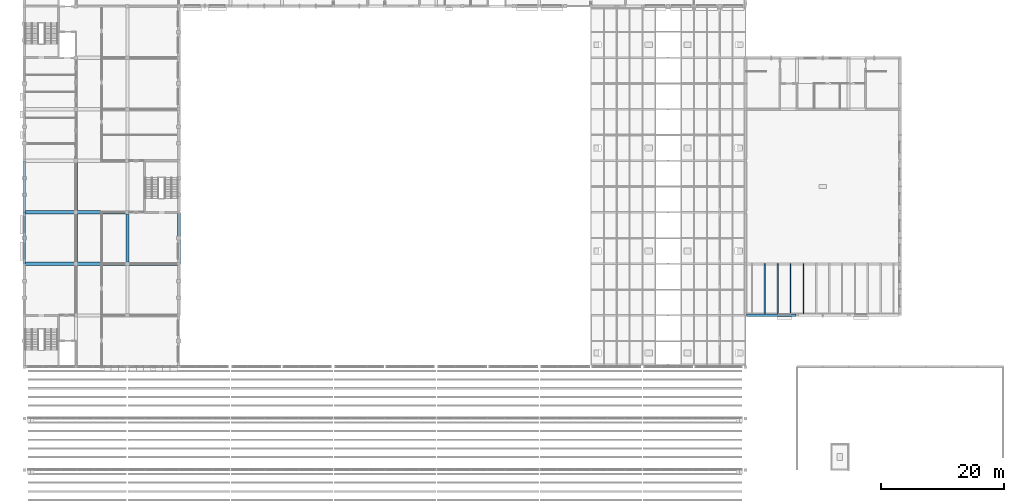
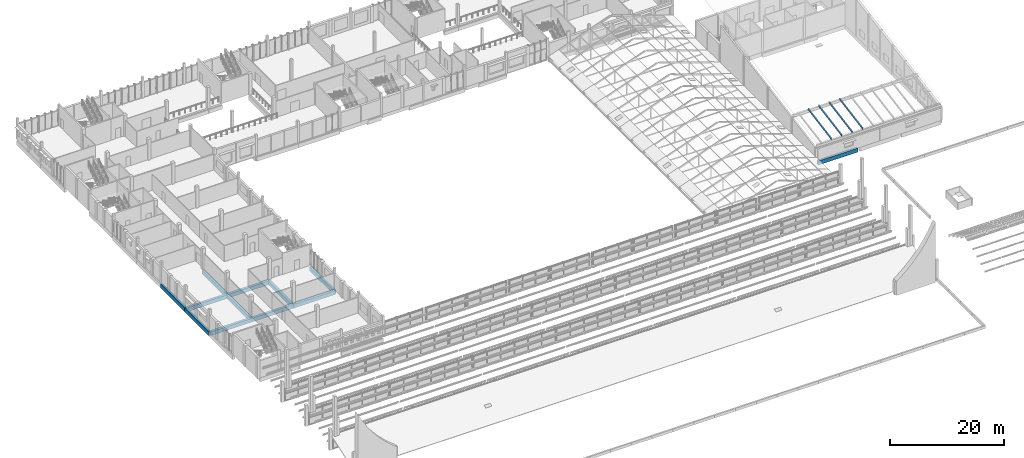
# One storey, part 36 of 116: 12 beams, 4 members.
"""IFC4 building model written with IfcOpenShell, lengths in metres."""

from ifc_helpers import new_model, si_unit, direction, frame, origin, origin_2d, place, context, subcontext, project, spatial, rectangle, i_section, extrude, material, material_profile, profile_set, type_object, element, save


model = new_model("IFC4")

# Units and contexts
model_context = context("Model", 3, precision=1e-05, world=origin(), true_north=direction((0.0, 1.0)))
body_context = subcontext(model_context, "Body", "Model", "MODEL_VIEW")
ifc_project = project(units=[si_unit("LENGTHUNIT", "METRE"), si_unit("AREAUNIT", "SQUARE_METRE"), si_unit("VOLUMEUNIT", "CUBIC_METRE"), si_unit("PLANEANGLEUNIT", "RADIAN"), si_unit("MASSUNIT", "GRAM", prefix="KILO")], contexts=[model_context])

# Site, building, storey
site_placement = place(None, origin())
site = spatial("IfcSite", under=ifc_project, at=site_placement, CompositionType="ELEMENT")
building_placement = place(site_placement, origin())
building = spatial("IfcBuilding", under=site, at=building_placement, Name="Fescue Hill Polytechnic", CompositionType="ELEMENT")
storey_placement = place(building_placement, frame((0.0, 0.0, 13.5)))
storey = spatial("IfcBuildingStorey", under=building, at=storey_placement, Name="L03", CompositionType="ELEMENT", Elevation=13.5)

# Beams
ifc_material_1 = material(Name="Concrete 35 MPa", Category="concrete")
ifc_material_profile_1 = material_profile(ifc_material_1, rectangle(XDim=0.449951171875, YDim=0.85009765625, at=origin_2d()), Name="RC 450x850")
ifc_profile_set_1 = profile_set([ifc_material_profile_1], Name="Concrete 35 MPa")
beam_type_1 = type_object("IfcBeamType", Name="Beam RC 450x850", PredefinedType="BEAM", material=ifc_profile_set_1)
beam_1_placement = place(storey_placement, frame((0.0, 67.199951171875, -0.72509765625), z_axis=(0.0, 1.0, 0.0), x_axis=(-1.0, 0.0, 0.0)))
element("IfcBeam", 1, at=beam_1_placement, inside=storey, type_object=beam_type_1, Name="BM-L03-0002", PredefinedType="BEAM", context=body_context, shape_type="SweptSolid", body=[
    extrude(rectangle(XDim=0.449951171875, YDim=0.85009765625, at=origin_2d()), origin(), (0.0, 0.0, 1.0), 8.400146484375),
])
beam_2_placement = place(storey_placement, frame((0.0, 75.60009765625, -0.72509765625), z_axis=(0.0, 1.0, 0.0), x_axis=(-1.0, 0.0, 0.0)))
element("IfcBeam", 2, at=beam_2_placement, inside=storey, type_object=beam_type_1, Name="BM-L03-0003", PredefinedType="BEAM", context=body_context, shape_type="SweptSolid", body=[
    extrude(rectangle(XDim=0.449951171875, YDim=0.85009765625, at=origin_2d()), origin(), (0.0, 0.0, 1.0), 8.39990234375),
])
beam_3_placement = place(storey_placement, frame((25.199951171875, 67.199951171875, -0.72509765625), z_axis=(0.0, 1.0, 0.0), x_axis=(-1.0, 0.0, 0.0)))
element("IfcBeam", 3, at=beam_3_placement, inside=storey, type_object=beam_type_1, Name="BM-L03-0052", PredefinedType="BEAM", context=body_context, shape_type="SweptSolid", body=[
    extrude(rectangle(XDim=0.449951171875, YDim=0.85009765625, at=origin_2d()), origin(), (0.0, 0.0, 1.0), 8.400146484375),
])
beam_4_placement = place(storey_placement, frame((117.800048828125, 58.800048828125, -0.425048828125), z_axis=(1.0, 0.0, 0.0), x_axis=(0.0, 1.0, 0.0)))
element("IfcBeam", 4, at=beam_4_placement, inside=storey, type_object=beam_type_1, Name="BM-L03-0146", PredefinedType="BEAM", context=body_context, shape_type="SweptSolid", body=[
    extrude(rectangle(XDim=0.449951171875, YDim=0.85009765625, at=origin_2d()), origin(), (0.0, 0.0, 1.0), 8.0),
])
ifc_material_profile_2 = material_profile(ifc_material_1, rectangle(XDim=0.5, YDim=0.800048828125, at=origin_2d()), Name="RC 500x800")
ifc_profile_set_2 = profile_set([ifc_material_profile_2], Name="Concrete 35 MPa")
beam_type_2 = type_object("IfcBeamType", Name="Beam RC 500x800", PredefinedType="BEAM", material=ifc_profile_set_2)
for number, where, z_axis, x_axis, name in (
    (5, (0.010009765625, 67.199951171875, -0.699951171875), (1.0, 0.0, 0.0), (0.0, 1.0, 0.0), "BM-L03-0008"),
    (6, (0.010009765625, 75.60009765625, -0.699951171875), (1.0, 0.0, 0.0), (0.0, 1.0, 0.0), "BM-L03-0009"),
):
    element("IfcBeam", number, at=place(storey_placement, frame(where, z_axis=z_axis, x_axis=x_axis)), inside=storey, type_object=beam_type_2, Name=name, PredefinedType="BEAM", context=body_context, shape_type="SweptSolid", body=[
        extrude(rectangle(XDim=0.5, YDim=0.800048828125, at=origin_2d()), origin(), (0.0, 0.0, 1.0), 8.3798828125),
    ])
beam_5_placement = place(storey_placement, frame((8.39990234375, 67.199951171875, -0.699951171875), z_axis=(0.0, 1.0, 0.0), x_axis=(-1.0, 0.0, 0.0)))
element("IfcBeam", 7, at=beam_5_placement, inside=storey, type_object=beam_type_2, Name="BM-L03-0018", PredefinedType="BEAM", context=body_context, shape_type="SweptSolid", body=[
    extrude(rectangle(XDim=0.5, YDim=0.800048828125, at=origin_2d()), origin(), (0.0, 0.0, 1.0), 8.400146484375),
])
beam_6_placement = place(storey_placement, frame((8.39990234375, 75.60009765625, -0.699951171875), z_axis=(0.0, 1.0, 0.0), x_axis=(-1.0, 0.0, 0.0)))
element("IfcBeam", 8, at=beam_6_placement, inside=storey, type_object=beam_type_2, Name="BM-L03-0019", PredefinedType="BEAM", context=body_context, shape_type="SweptSolid", body=[
    extrude(rectangle(XDim=0.5, YDim=0.800048828125, at=origin_2d()), origin(), (0.0, 0.0, 1.0), 8.39990234375),
])
for number, where, z_axis, x_axis, name in (
    (9, (8.409912109375, 67.199951171875, -0.699951171875), (1.0, 0.0, 0.0), (0.0, 1.0, 0.0), "BM-L03-0025"),
    (10, (8.409912109375, 75.60009765625, -0.699951171875), (1.0, 0.0, 0.0), (0.0, 1.0, 0.0), "BM-L03-0026"),
):
    element("IfcBeam", number, at=place(storey_placement, frame(where, z_axis=z_axis, x_axis=x_axis)), inside=storey, type_object=beam_type_2, Name=name, PredefinedType="BEAM", context=body_context, shape_type="SweptSolid", body=[
        extrude(rectangle(XDim=0.5, YDim=0.800048828125, at=origin_2d()), origin(), (0.0, 0.0, 1.0), 8.380126953125),
    ])
beam_7_placement = place(storey_placement, frame((16.800048828125, 67.199951171875, -0.699951171875), z_axis=(0.0, 1.0, 0.0), x_axis=(-1.0, 0.0, 0.0)))
element("IfcBeam", 11, at=beam_7_placement, inside=storey, type_object=beam_type_2, Name="BM-L03-0034", PredefinedType="BEAM", context=body_context, shape_type="SweptSolid", body=[
    extrude(rectangle(XDim=0.5, YDim=0.800048828125, at=origin_2d()), origin(), (0.0, 0.0, 1.0), 8.400146484375),
])
beam_8_placement = place(storey_placement, frame((16.81005859375, 67.199951171875, -0.699951171875), z_axis=(1.0, 0.0, 0.0), x_axis=(0.0, 1.0, 0.0)))
element("IfcBeam", 12, at=beam_8_placement, inside=storey, type_object=beam_type_2, Name="BM-L03-0044", PredefinedType="BEAM", context=body_context, shape_type="SweptSolid", body=[
    extrude(rectangle(XDim=0.5, YDim=0.800048828125, at=origin_2d()), origin(), (0.0, 0.0, 1.0), 8.3798828125),
])

# Members
ifc_material_2 = material(Name="Steel 350W (350 MPa)", Category="steel")
ifc_material_profile_3 = material_profile(ifc_material_2, i_section(OverallWidth=0.202880859375, OverallDepth=0.302978515625, WebThickness=0.007568359375, FlangeThickness=0.01318359375, FilletRadius=0.02001953125, at=origin_2d()), Name="W310x60")
ifc_profile_set_3 = profile_set([ifc_material_profile_3], Name="Steel 350W (350 MPa)")
member_type = type_object("IfcMemberType", Name="Lecture roof purlin W310x60", PredefinedType="PURLIN", material=ifc_profile_set_3)
for number, where, z_axis, x_axis, name in (
    (13, (120.75, 59.0, 3.45068359375), (0.0, 0.984431017148, 0.175771364213), (-1.0, 0.0, 0.0), "Lecture roof purlin 2 bay 1"),
    (14, (122.85009765625, 59.0, 3.45068359375), (0.0, 0.984431017148, 0.175771364213), (-1.0, 0.0, 0.0), "Lecture roof purlin 3 bay 1"),
    (15, (124.949951171875, 59.0, 3.45068359375), (0.0, 0.984431017148, 0.175771364213), (-1.0, 0.0, 0.0), "Lecture roof purlin 4 bay 1"),
    (16, (127.050048828125, 59.0, 3.45068359375), (0.0, 0.984431017148, 0.175771364213), (-1.0, 0.0, 0.0), "Lecture roof purlin 5 bay 1"),
):
    element("IfcMember", number, at=place(storey_placement, frame(where, z_axis=z_axis, x_axis=x_axis)), inside=storey, type_object=member_type, Name=name, PredefinedType="PURLIN", context=body_context, shape_type="SweptSolid", body=[
        extrude(i_section(OverallWidth=0.202880859375, OverallDepth=0.302978515625, WebThickness=0.007568359375, FlangeThickness=0.01318359375, FilletRadius=0.02001953125, at=origin_2d()), origin(), (0.0, 0.0, 1.0), 8.32958984375),
    ])

save(model, "model.ifc")
